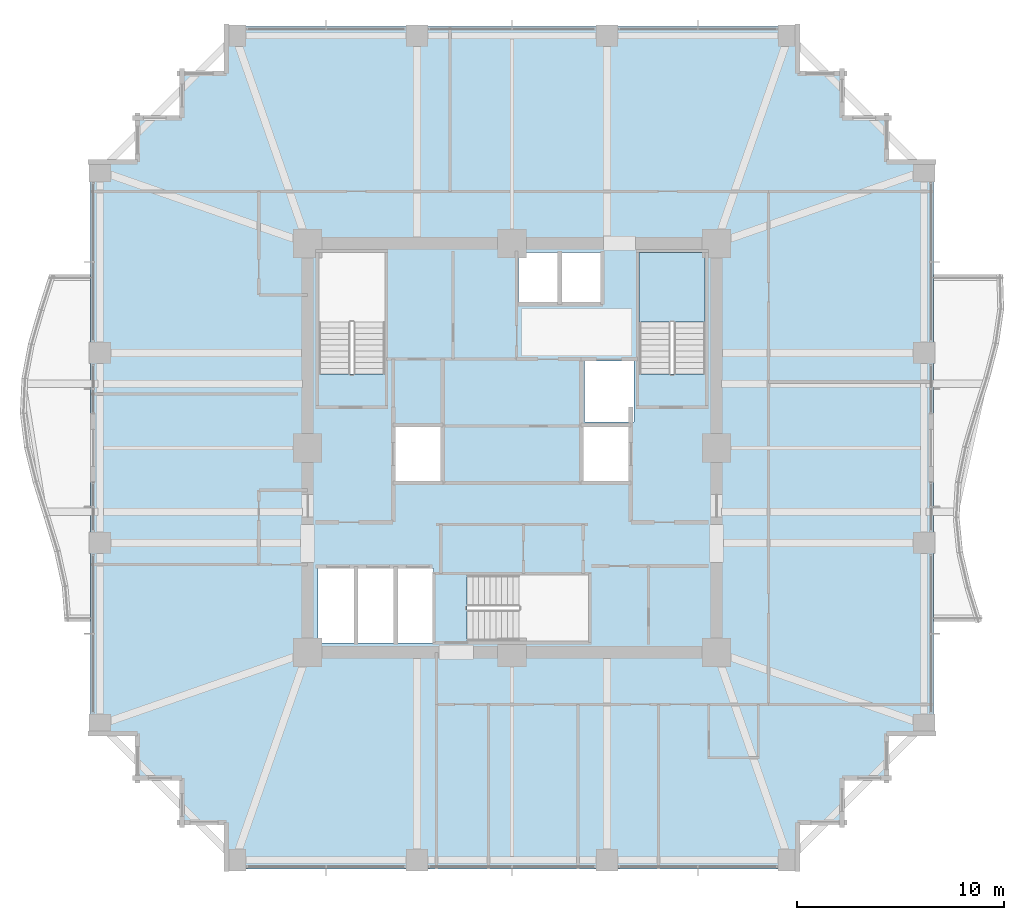
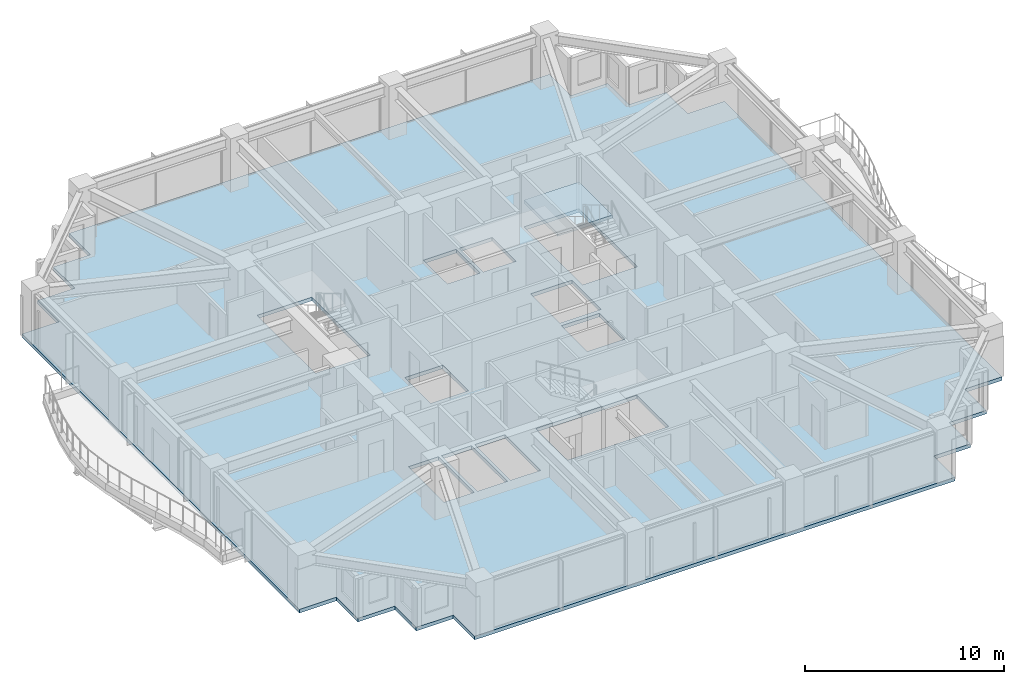
# One storey, part 27 of 36: 2 slabs, 1 element without a shape of its own.
"""IFC4 building model written with IfcOpenShell, lengths in metres."""

from ifc_helpers import new_model, si_unit, direction, frame, origin, place, context, subcontext, project, spatial, polyline, outline, extrude, material, layer, layer_set, type_object, element, aggregate, save


model = new_model("IFC4")

# Units and contexts
model_context = context("Model", 3, precision=1e-05, world=origin(), true_north=direction((0.0, 1.0)))
body_context = subcontext(model_context, "Body", "Model", "MODEL_VIEW")
ifc_project = project(units=[si_unit("LENGTHUNIT", "METRE"), si_unit("AREAUNIT", "SQUARE_METRE"), si_unit("VOLUMEUNIT", "CUBIC_METRE"), si_unit("PLANEANGLEUNIT", "RADIAN"), si_unit("MASSUNIT", "GRAM", prefix="KILO")], contexts=[model_context])

# Site, building, storey
site_placement = place(None, origin())
site = spatial("IfcSite", under=ifc_project, at=site_placement, CompositionType="ELEMENT")
building_placement = place(site_placement, origin())
building = spatial("IfcBuilding", under=site, at=building_placement, Name="Kolvaren Belvedere", CompositionType="ELEMENT")
storey_placement = place(building_placement, frame((0.0, 0.0, 92.0)))
storey = spatial("IfcBuildingStorey", under=building, at=storey_placement, Name="L26", CompositionType="ELEMENT", Elevation=92.0)

# Slab
ifc_material_1 = material(Name="Concrete C50/60", Category="concrete")
ifc_layer_1 = layer(ifc_material_1, 0.219970703125)
ifc_layer_set_1 = layer_set([ifc_layer_1], Name="Concrete C50/60")
slab_type_1 = type_object("IfcSlabType", Name="SL-FLR-220", PredefinedType="FLOOR", material=ifc_layer_set_1)
slab_1_placement = place(storey_placement, frame((0.0, 0.0, -0.219970703125)))
element("IfcSlab", 1, at=slab_1_placement, inside=storey, type_object=slab_type_1, Name="L26 Primary Structural Slab", PredefinedType="FLOOR", context=body_context, shape_type="SweptSolid", body=[
    extrude(outline(polyline([(-13.949951171875, -20.39990234375), (13.949951171875, -20.39990234375), (13.949951171875, -18.25), (16.10009765625, -18.25), (16.10009765625, -16.10009765625), (18.25, -16.10009765625), (18.25, -13.949951171875), (20.39990234375, -13.949951171875), (20.39990234375, 13.949951171875), (18.25, 13.949951171875), (18.25, 16.10009765625), (16.10009765625, 16.10009765625), (16.10009765625, 18.25), (13.949951171875, 18.25), (13.949951171875, 20.39990234375), (-13.949951171875, 20.39990234375), (-13.949951171875, 18.25), (-16.10009765625, 18.25), (-16.10009765625, 16.10009765625), (-18.25, 16.10009765625), (-18.25, 13.949951171875), (-20.39990234375, 13.949951171875), (-20.39990234375, -13.949951171875), (-18.25, -13.949951171875), (-18.25, -16.10009765625), (-16.10009765625, -16.10009765625), (-16.10009765625, -18.25), (-13.949951171875, -18.25), (-13.949951171875, -20.39990234375)]), holes=[polyline([(-9.35009765625, 3.580078125), (-6.159912109375, 3.580078125), (-6.159912109375, 9.449951171875), (-9.35009765625, 9.449951171875), (-9.35009765625, 3.580078125)]), polyline([(6.159912109375, 3.580078125), (9.35009765625, 3.580078125), (9.35009765625, 9.449951171875), (6.159912109375, 9.449951171875), (6.159912109375, 3.580078125)]), polyline([(-2.169921875, -9.35009765625), (3.699951171875, -9.35009765625), (3.699951171875, -6.159912109375), (-2.169921875, -6.159912109375), (-2.169921875, -9.35009765625)]), polyline([(-5.64990234375, -1.60009765625), (-3.449951171875, -1.60009765625), (-3.449951171875, 1.0), (-5.64990234375, 1.0), (-5.64990234375, -1.60009765625)]), polyline([(3.5, 1.25), (5.89990234375, 1.25), (5.89990234375, 4.199951171875), (3.5, 4.199951171875), (3.5, 1.25)]), polyline([(3.449951171875, -1.60009765625), (5.64990234375, -1.60009765625), (5.64990234375, 1.0), (3.449951171875, 1.0), (3.449951171875, -1.60009765625)]), polyline([(-9.39990234375, -9.449951171875), (-7.64990234375, -9.449951171875), (-7.64990234375, -5.85009765625), (-9.39990234375, -5.85009765625), (-9.39990234375, -9.449951171875)]), polyline([(-7.469970703125, -9.449951171875), (-5.719970703125, -9.449951171875), (-5.719970703125, -5.85009765625), (-7.469970703125, -5.85009765625), (-7.469970703125, -9.449951171875)]), polyline([(-5.5400390625, -9.449951171875), (-3.7900390625, -9.449951171875), (-3.7900390625, -5.85009765625), (-5.5400390625, -5.85009765625), (-5.5400390625, -9.449951171875)]), polyline([(0.320068359375, 7.050048828125), (2.219970703125, 7.050048828125), (2.219970703125, 9.449951171875), (0.320068359375, 9.449951171875), (0.320068359375, 7.050048828125)]), polyline([(2.39990234375, 7.050048828125), (4.300048828125, 7.050048828125), (4.300048828125, 9.449951171875), (2.39990234375, 9.449951171875), (2.39990234375, 7.050048828125)])]), origin(), (0.0, 0.0, 1.0), 0.219970703125),
])

# Stair, slab
ifc_material_2 = material(Name="Concrete C50/60", Category="concrete")
stair_type = type_object("IfcStairType", Name="ST-CORE-1520", PredefinedType="HALF_TURN_STAIR", material=ifc_material_2)
stair_placement = place(storey_placement, origin())
stair = element("IfcStair", 2, at=stair_placement, inside=storey, type_object=stair_type, Name="L26 Protected Exit Stair ST-2", PredefinedType="HALF_TURN_STAIR")
ifc_material_3 = material(Name="Concrete C50/60", Category="concrete")
ifc_layer_2 = layer(ifc_material_3, 0.260009765625)
ifc_layer_set_2 = layer_set([ifc_layer_2], Name="Concrete C50/60")
slab_type_2 = type_object("IfcSlabType", Name="SL-LAND-260", PredefinedType="LANDING", material=ifc_layer_set_2)
slab_2_placement = place(storey_placement, frame((0.0, 0.0, 1.449951171875)))
slab_2 = element("IfcSlab", 3, at=slab_2_placement, type_object=slab_type_2, Name="ST-2 landing 1", PredefinedType="LANDING", context=body_context, shape_type="SweptSolid", body=[
    extrude(outline(polyline([(9.35009765625, 6.090087890625), (9.35009765625, 9.449951171875), (6.159912109375, 9.449951171875), (6.159912109375, 6.090087890625), (9.35009765625, 6.090087890625)])), origin(), (0.0, 0.0, 1.0), 0.199951171875),
])
aggregate(stair, [slab_2])

save(model, "model.ifc")
